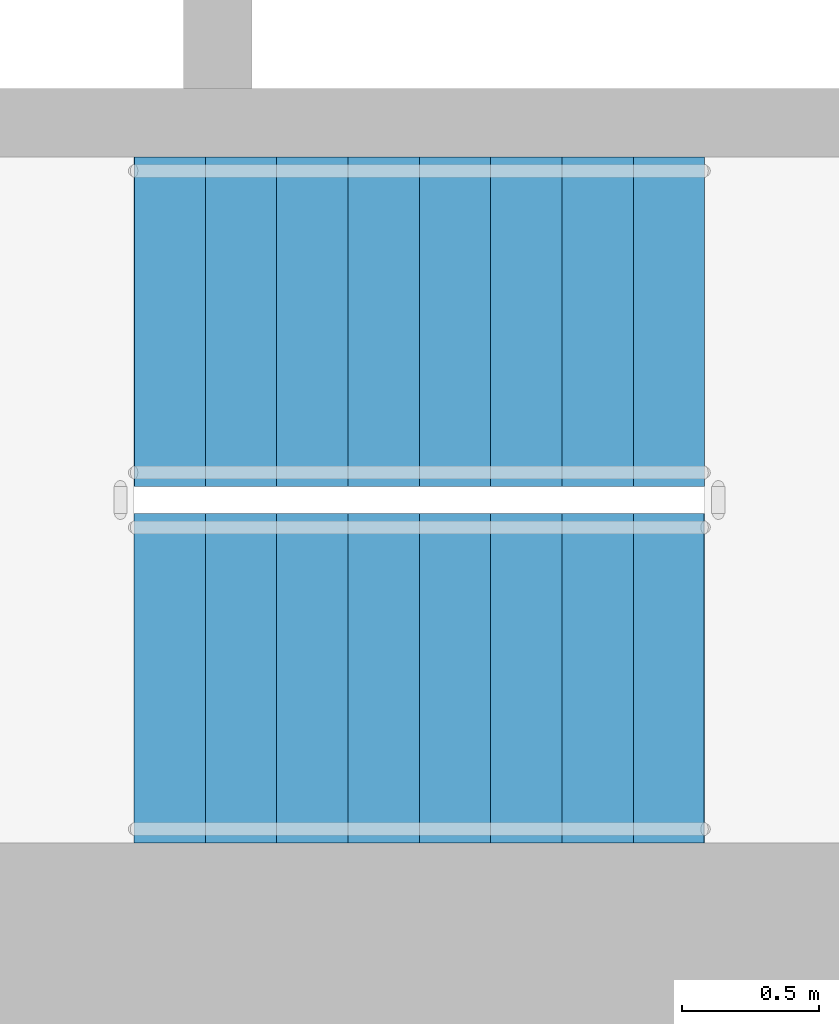
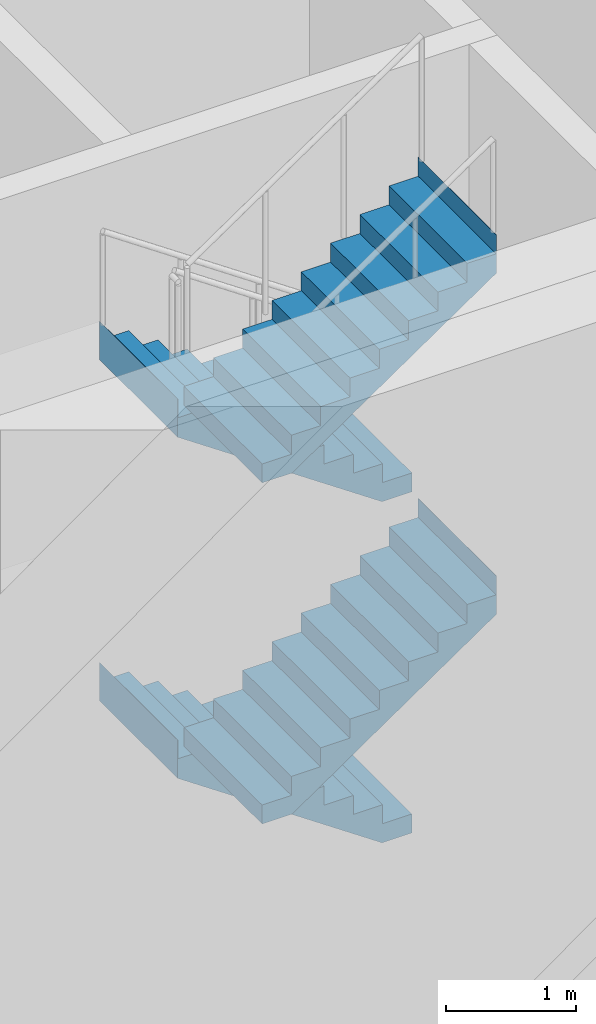
# One storey, part 14 of 27: 4 stair flights, 1 element without a shape of its own.
"""IFC4 building model written with IfcOpenShell, lengths in metres."""

from ifc_helpers import new_model, si_unit, direction, frame, origin, place, context, subcontext, project, spatial, triangles, material, type_object, element, aggregate, save


model = new_model("IFC4")

# Units and contexts
model_context = context("Model", 3, precision=1e-05, world=origin(), true_north=direction((0.0, 1.0)))
body_context = subcontext(model_context, "Body", "Model", "MODEL_VIEW")
ifc_project = project(units=[si_unit("LENGTHUNIT", "METRE"), si_unit("AREAUNIT", "SQUARE_METRE"), si_unit("VOLUMEUNIT", "CUBIC_METRE"), si_unit("PLANEANGLEUNIT", "RADIAN"), si_unit("MASSUNIT", "GRAM", prefix="KILO")], contexts=[model_context])

# Site, building, storey
site_placement = place(None, origin())
site = spatial("IfcSite", under=ifc_project, at=site_placement, CompositionType="ELEMENT")
building_placement = place(site_placement, origin())
building = spatial("IfcBuilding", under=site, at=building_placement, Name="Sahrelin Media Tower", CompositionType="ELEMENT")
storey_placement = place(building_placement, frame((0.0, 0.0, 44.0)))
storey = spatial("IfcBuildingStorey", under=building, at=storey_placement, Name="L06", CompositionType="ELEMENT", Elevation=44.0)

# Stair, stair flights
ifc_material = material(Name="Concrete C40/50", Category="concrete")
stair_type = type_object("IfcStairType", Name="Exit stair 1200", PredefinedType="HALF_TURN_STAIR", material=ifc_material)
stair_placement = place(storey_placement, origin())
stair = element("IfcStair", 1, at=stair_placement, inside=storey, type_object=stair_type, Name="L06 Exit stair ST2", PredefinedType="HALF_TURN_STAIR")
stair_flight_type = type_object("IfcStairFlightType", Name="Stair flight 1200", PredefinedType="STRAIGHT", material=ifc_material)
stair_flight_1_placement = place(storey_placement, frame((7.675048828125, -4.699951171875, 0.0), z_axis=(0.0, 0.0, 1.0), x_axis=(-1.0, 0.0, 0.0)))
stair_flight_1 = element("IfcStairFlight", 2, at=stair_flight_1_placement, type_object=stair_flight_type, Name="ST2 flight 1", NumberOfRisers=9, NumberOfTreads=8, PredefinedType="STRAIGHT", RiserHeight=0.177777778, TreadLength=0.26, context=body_context, shape_type="Tessellation", body=[
    triangles([(0.265625, 0.60009765625, 0.0), (0.265625, 0.300048828125, 0.0), (0.265625, 0.0, 0.0), (0.265625, -0.300048828125, 0.0), (0.265625, -0.60009765625, 0.0), (2.080078125, 0.60009765625, 1.24072265625), (2.080078125, 0.300048828125, 1.24072265625), (2.080078125, 0.0, 1.24072265625), (2.080078125, -0.300048828125, 1.24072265625), (2.080078125, -0.60009765625, 1.24072265625), (2.080078125, 0.60009765625, 1.60009765625), (2.080078125, 0.300048828125, 1.60009765625), (2.080078125, 0.0, 1.60009765625), (2.080078125, -0.300048828125, 1.60009765625), (2.080078125, -0.60009765625, 1.60009765625), (2.077880859375, 0.60009765625, 1.60009765625), (2.077880859375, 0.300048828125, 1.60009765625), (2.077880859375, 0.0, 1.60009765625), (2.077880859375, -0.300048828125, 1.60009765625), (2.077880859375, -0.60009765625, 1.60009765625), (2.077880859375, 0.60009765625, 1.422119140625), (2.077880859375, 0.300048828125, 1.422119140625), (2.077880859375, 0.0, 1.422119140625), (2.077880859375, -0.300048828125, 1.422119140625), (2.077880859375, -0.60009765625, 1.422119140625), (1.820068359375, 0.60009765625, 1.422119140625), (1.820068359375, 0.300048828125, 1.422119140625), (1.820068359375, 0.0, 1.422119140625), (1.820068359375, -0.300048828125, 1.422119140625), (1.820068359375, -0.60009765625, 1.422119140625), (1.820068359375, 0.60009765625, 1.244384765625), (1.820068359375, 0.300048828125, 1.244384765625), (1.820068359375, 0.0, 1.244384765625), (1.820068359375, -0.300048828125, 1.244384765625), (1.820068359375, -0.60009765625, 1.244384765625), (1.56005859375, 0.60009765625, 1.244384765625), (1.56005859375, 0.300048828125, 1.244384765625), (1.56005859375, 0.0, 1.244384765625), (1.56005859375, -0.300048828125, 1.244384765625), (1.56005859375, -0.60009765625, 1.244384765625), (1.56005859375, 0.60009765625, 1.066650390625), (1.56005859375, 0.300048828125, 1.066650390625), (1.56005859375, 0.0, 1.066650390625), (1.56005859375, -0.300048828125, 1.066650390625), (1.56005859375, -0.60009765625, 1.066650390625), (1.300048828125, 0.60009765625, 1.066650390625), (1.300048828125, 0.300048828125, 1.066650390625), (1.300048828125, 0.0, 1.066650390625), (1.300048828125, -0.300048828125, 1.066650390625), (1.300048828125, -0.60009765625, 1.066650390625), (1.300048828125, 0.60009765625, 0.888916015625), (1.300048828125, 0.300048828125, 0.888916015625), (1.300048828125, 0.0, 0.888916015625), (1.300048828125, -0.300048828125, 0.888916015625), (1.300048828125, -0.60009765625, 0.888916015625), (1.0400390625, 0.60009765625, 0.888916015625), (1.0400390625, 0.300048828125, 0.888916015625), (1.0400390625, 0.0, 0.888916015625), (1.0400390625, -0.300048828125, 0.888916015625), (1.0400390625, -0.60009765625, 0.888916015625), (1.0400390625, 0.60009765625, 0.711181640625), (1.0400390625, 0.300048828125, 0.711181640625), (1.0400390625, 0.0, 0.711181640625), (1.0400390625, -0.300048828125, 0.711181640625), (1.0400390625, -0.60009765625, 0.711181640625), (0.780029296875, 0.60009765625, 0.711181640625), (0.780029296875, 0.300048828125, 0.711181640625), (0.780029296875, 0.0, 0.711181640625), (0.780029296875, -0.300048828125, 0.711181640625), (0.780029296875, -0.60009765625, 0.711181640625), (0.780029296875, 0.60009765625, 0.533447265625), (0.780029296875, 0.300048828125, 0.533447265625), (0.780029296875, 0.0, 0.533447265625), (0.780029296875, -0.300048828125, 0.533447265625), (0.780029296875, -0.60009765625, 0.533447265625), (0.52001953125, 0.60009765625, 0.533447265625), (0.52001953125, 0.300048828125, 0.533447265625), (0.52001953125, 0.0, 0.533447265625), (0.52001953125, -0.300048828125, 0.533447265625), (0.52001953125, -0.60009765625, 0.533447265625), (0.52001953125, 0.60009765625, 0.35546875), (0.52001953125, 0.300048828125, 0.35546875), (0.52001953125, 0.0, 0.35546875), (0.52001953125, -0.300048828125, 0.35546875), (0.52001953125, -0.60009765625, 0.35546875), (0.260009765625, 0.60009765625, 0.35546875), (0.260009765625, 0.300048828125, 0.35546875), (0.260009765625, 0.0, 0.35546875), (0.260009765625, -0.300048828125, 0.35546875), (0.260009765625, -0.60009765625, 0.35546875), (0.260009765625, 0.60009765625, 0.177734375), (0.260009765625, 0.300048828125, 0.177734375), (0.260009765625, 0.0, 0.177734375), (0.260009765625, -0.300048828125, 0.177734375), (0.260009765625, -0.60009765625, 0.177734375), (0.0, 0.60009765625, 0.177734375), (0.0, 0.300048828125, 0.177734375), (0.0, 0.0, 0.177734375), (0.0, -0.300048828125, 0.177734375), (0.0, -0.60009765625, 0.177734375), (0.0, 0.60009765625, 0.0), (0.0, 0.300048828125, 0.0), (0.0, 0.0, 0.0), (0.0, -0.300048828125, 0.0), (0.0, -0.60009765625, 0.0)], [[1, 6, 7], [1, 7, 2], [2, 7, 8], [2, 8, 3], [3, 8, 9], [3, 9, 4], [4, 9, 10], [4, 10, 5], [6, 11, 12], [6, 12, 7], [7, 12, 13], [7, 13, 8], [8, 13, 14], [8, 14, 9], [9, 14, 15], [9, 15, 10], [11, 16, 17], [11, 17, 12], [12, 17, 18], [12, 18, 13], [13, 18, 19], [13, 19, 14], [14, 19, 20], [14, 20, 15], [16, 21, 22], [16, 22, 17], [17, 22, 23], [17, 23, 18], [18, 23, 24], [18, 24, 19], [19, 24, 25], [19, 25, 20], [21, 26, 27], [21, 27, 22], [22, 27, 28], [22, 28, 23], [23, 28, 29], [23, 29, 24], [24, 29, 30], [24, 30, 25], [26, 31, 32], [26, 32, 27], [27, 32, 33], [27, 33, 28], [28, 33, 34], [28, 34, 29], [29, 34, 35], [29, 35, 30], [31, 36, 37], [31, 37, 32], [32, 37, 38], [32, 38, 33], [33, 38, 39], [33, 39, 34], [34, 39, 40], [34, 40, 35], [36, 41, 42], [36, 42, 37], [37, 42, 43], [37, 43, 38], [38, 43, 44], [38, 44, 39], [39, 44, 45], [39, 45, 40], [41, 46, 47], [41, 47, 42], [42, 47, 48], [42, 48, 43], [43, 48, 49], [43, 49, 44], [44, 49, 50], [44, 50, 45], [46, 51, 52], [46, 52, 47], [47, 52, 53], [47, 53, 48], [48, 53, 54], [48, 54, 49], [49, 54, 55], [49, 55, 50], [51, 56, 57], [51, 57, 52], [52, 57, 58], [52, 58, 53], [53, 58, 59], [53, 59, 54], [54, 59, 60], [54, 60, 55], [56, 61, 62], [56, 62, 57], [57, 62, 63], [57, 63, 58], [58, 63, 64], [58, 64, 59], [59, 64, 65], [59, 65, 60], [61, 66, 67], [61, 67, 62], [62, 67, 68], [62, 68, 63], [63, 68, 69], [63, 69, 64], [64, 69, 70], [64, 70, 65], [66, 71, 72], [66, 72, 67], [67, 72, 73], [67, 73, 68], [68, 73, 74], [68, 74, 69], [69, 74, 75], [69, 75, 70], [71, 76, 77], [71, 77, 72], [72, 77, 78], [72, 78, 73], [73, 78, 79], [73, 79, 74], [74, 79, 80], [74, 80, 75], [76, 81, 82], [76, 82, 77], [77, 82, 83], [77, 83, 78], [78, 83, 84], [78, 84, 79], [79, 84, 85], [79, 85, 80], [81, 86, 87], [81, 87, 82], [82, 87, 88], [82, 88, 83], [83, 88, 89], [83, 89, 84], [84, 89, 90], [84, 90, 85], [86, 91, 92], [86, 92, 87], [87, 92, 93], [87, 93, 88], [88, 93, 94], [88, 94, 89], [89, 94, 95], [89, 95, 90], [91, 96, 97], [91, 97, 92], [92, 97, 98], [92, 98, 93], [93, 98, 99], [93, 99, 94], [94, 99, 100], [94, 100, 95], [96, 101, 102], [96, 102, 97], [97, 102, 103], [97, 103, 98], [98, 103, 104], [98, 104, 99], [99, 104, 105], [99, 105, 100], [101, 1, 2], [101, 2, 102], [102, 2, 3], [102, 3, 103], [103, 3, 4], [103, 4, 104], [104, 4, 5], [104, 5, 105], [95, 100, 105], [91, 101, 96], [95, 85, 90], [91, 86, 81], [85, 75, 80], [81, 76, 71], [75, 65, 70], [71, 66, 61], [65, 55, 60], [61, 56, 51], [55, 45, 50], [51, 46, 41], [45, 35, 40], [41, 36, 31], [35, 25, 30], [31, 26, 21], [25, 15, 20], [21, 16, 11], [105, 5, 95], [101, 91, 1], [65, 75, 5], [61, 1, 71], [10, 45, 55], [6, 51, 41], [25, 10, 15], [21, 11, 6], [85, 95, 5], [81, 1, 91], [55, 65, 10], [51, 6, 61], [35, 10, 25], [31, 21, 6], [75, 85, 5], [71, 1, 81], [45, 10, 35], [41, 31, 6], [5, 10, 65], [1, 61, 6]], closed=True),
])
stair_flight_2_placement = place(storey_placement, frame((5.594970703125, -6.0, 1.60009765625), z_axis=(0.0, 0.0, 1.0), x_axis=(1.0, 0.0, 0.0)))
stair_flight_2 = element("IfcStairFlight", 3, at=stair_flight_2_placement, type_object=stair_flight_type, Name="ST2 flight 2", NumberOfRisers=9, NumberOfTreads=8, PredefinedType="STRAIGHT", RiserHeight=0.177777778, TreadLength=0.26, context=body_context, shape_type="Tessellation", body=[
    triangles([(0.265625, 0.60009765625, 0.0), (0.265625, 0.300048828125, 0.0), (0.265625, 0.0, 0.0), (0.265625, -0.300048828125, 0.0), (0.265625, -0.60009765625, 0.0), (2.080078125, 0.60009765625, 1.24072265625), (2.080078125, 0.300048828125, 1.24072265625), (2.080078125, 0.0, 1.24072265625), (2.080078125, -0.300048828125, 1.24072265625), (2.080078125, -0.60009765625, 1.24072265625), (2.080078125, 0.60009765625, 1.60009765625), (2.080078125, 0.300048828125, 1.60009765625), (2.080078125, 0.0, 1.60009765625), (2.080078125, -0.300048828125, 1.60009765625), (2.080078125, -0.60009765625, 1.60009765625), (2.077880859375, 0.60009765625, 1.60009765625), (2.077880859375, 0.300048828125, 1.60009765625), (2.077880859375, 0.0, 1.60009765625), (2.077880859375, -0.300048828125, 1.60009765625), (2.077880859375, -0.60009765625, 1.60009765625), (2.077880859375, 0.60009765625, 1.422119140625), (2.077880859375, 0.300048828125, 1.422119140625), (2.077880859375, 0.0, 1.422119140625), (2.077880859375, -0.300048828125, 1.422119140625), (2.077880859375, -0.60009765625, 1.422119140625), (1.820068359375, 0.60009765625, 1.422119140625), (1.820068359375, 0.300048828125, 1.422119140625), (1.820068359375, 0.0, 1.422119140625), (1.820068359375, -0.300048828125, 1.422119140625), (1.820068359375, -0.60009765625, 1.422119140625), (1.820068359375, 0.60009765625, 1.244384765625), (1.820068359375, 0.300048828125, 1.244384765625), (1.820068359375, 0.0, 1.244384765625), (1.820068359375, -0.300048828125, 1.244384765625), (1.820068359375, -0.60009765625, 1.244384765625), (1.56005859375, 0.60009765625, 1.244384765625), (1.56005859375, 0.300048828125, 1.244384765625), (1.56005859375, 0.0, 1.244384765625), (1.56005859375, -0.300048828125, 1.244384765625), (1.56005859375, -0.60009765625, 1.244384765625), (1.56005859375, 0.60009765625, 1.066650390625), (1.56005859375, 0.300048828125, 1.066650390625), (1.56005859375, 0.0, 1.066650390625), (1.56005859375, -0.300048828125, 1.066650390625), (1.56005859375, -0.60009765625, 1.066650390625), (1.300048828125, 0.60009765625, 1.066650390625), (1.300048828125, 0.300048828125, 1.066650390625), (1.300048828125, 0.0, 1.066650390625), (1.300048828125, -0.300048828125, 1.066650390625), (1.300048828125, -0.60009765625, 1.066650390625), (1.300048828125, 0.60009765625, 0.888916015625), (1.300048828125, 0.300048828125, 0.888916015625), (1.300048828125, 0.0, 0.888916015625), (1.300048828125, -0.300048828125, 0.888916015625), (1.300048828125, -0.60009765625, 0.888916015625), (1.0400390625, 0.60009765625, 0.888916015625), (1.0400390625, 0.300048828125, 0.888916015625), (1.0400390625, 0.0, 0.888916015625), (1.0400390625, -0.300048828125, 0.888916015625), (1.0400390625, -0.60009765625, 0.888916015625), (1.0400390625, 0.60009765625, 0.711181640625), (1.0400390625, 0.300048828125, 0.711181640625), (1.0400390625, 0.0, 0.711181640625), (1.0400390625, -0.300048828125, 0.711181640625), (1.0400390625, -0.60009765625, 0.711181640625), (0.780029296875, 0.60009765625, 0.711181640625), (0.780029296875, 0.300048828125, 0.711181640625), (0.780029296875, 0.0, 0.711181640625), (0.780029296875, -0.300048828125, 0.711181640625), (0.780029296875, -0.60009765625, 0.711181640625), (0.780029296875, 0.60009765625, 0.533447265625), (0.780029296875, 0.300048828125, 0.533447265625), (0.780029296875, 0.0, 0.533447265625), (0.780029296875, -0.300048828125, 0.533447265625), (0.780029296875, -0.60009765625, 0.533447265625), (0.52001953125, 0.60009765625, 0.533447265625), (0.52001953125, 0.300048828125, 0.533447265625), (0.52001953125, 0.0, 0.533447265625), (0.52001953125, -0.300048828125, 0.533447265625), (0.52001953125, -0.60009765625, 0.533447265625), (0.52001953125, 0.60009765625, 0.35546875), (0.52001953125, 0.300048828125, 0.35546875), (0.52001953125, 0.0, 0.35546875), (0.52001953125, -0.300048828125, 0.35546875), (0.52001953125, -0.60009765625, 0.35546875), (0.260009765625, 0.60009765625, 0.35546875), (0.260009765625, 0.300048828125, 0.35546875), (0.260009765625, 0.0, 0.35546875), (0.260009765625, -0.300048828125, 0.35546875), (0.260009765625, -0.60009765625, 0.35546875), (0.260009765625, 0.60009765625, 0.177734375), (0.260009765625, 0.300048828125, 0.177734375), (0.260009765625, 0.0, 0.177734375), (0.260009765625, -0.300048828125, 0.177734375), (0.260009765625, -0.60009765625, 0.177734375), (0.0, 0.60009765625, 0.177734375), (0.0, 0.300048828125, 0.177734375), (0.0, 0.0, 0.177734375), (0.0, -0.300048828125, 0.177734375), (0.0, -0.60009765625, 0.177734375), (0.0, 0.60009765625, 0.0), (0.0, 0.300048828125, 0.0), (0.0, 0.0, 0.0), (0.0, -0.300048828125, 0.0), (0.0, -0.60009765625, 0.0)], [[1, 6, 7], [1, 7, 2], [2, 7, 8], [2, 8, 3], [3, 8, 9], [3, 9, 4], [4, 9, 10], [4, 10, 5], [6, 11, 12], [6, 12, 7], [7, 12, 13], [7, 13, 8], [8, 13, 14], [8, 14, 9], [9, 14, 15], [9, 15, 10], [11, 16, 17], [11, 17, 12], [12, 17, 18], [12, 18, 13], [13, 18, 19], [13, 19, 14], [14, 19, 20], [14, 20, 15], [16, 21, 22], [16, 22, 17], [17, 22, 23], [17, 23, 18], [18, 23, 24], [18, 24, 19], [19, 24, 25], [19, 25, 20], [21, 26, 27], [21, 27, 22], [22, 27, 28], [22, 28, 23], [23, 28, 29], [23, 29, 24], [24, 29, 30], [24, 30, 25], [26, 31, 32], [26, 32, 27], [27, 32, 33], [27, 33, 28], [28, 33, 34], [28, 34, 29], [29, 34, 35], [29, 35, 30], [31, 36, 37], [31, 37, 32], [32, 37, 38], [32, 38, 33], [33, 38, 39], [33, 39, 34], [34, 39, 40], [34, 40, 35], [36, 41, 42], [36, 42, 37], [37, 42, 43], [37, 43, 38], [38, 43, 44], [38, 44, 39], [39, 44, 45], [39, 45, 40], [41, 46, 47], [41, 47, 42], [42, 47, 48], [42, 48, 43], [43, 48, 49], [43, 49, 44], [44, 49, 50], [44, 50, 45], [46, 51, 52], [46, 52, 47], [47, 52, 53], [47, 53, 48], [48, 53, 54], [48, 54, 49], [49, 54, 55], [49, 55, 50], [51, 56, 57], [51, 57, 52], [52, 57, 58], [52, 58, 53], [53, 58, 59], [53, 59, 54], [54, 59, 60], [54, 60, 55], [56, 61, 62], [56, 62, 57], [57, 62, 63], [57, 63, 58], [58, 63, 64], [58, 64, 59], [59, 64, 65], [59, 65, 60], [61, 66, 67], [61, 67, 62], [62, 67, 68], [62, 68, 63], [63, 68, 69], [63, 69, 64], [64, 69, 70], [64, 70, 65], [66, 71, 72], [66, 72, 67], [67, 72, 73], [67, 73, 68], [68, 73, 74], [68, 74, 69], [69, 74, 75], [69, 75, 70], [71, 76, 77], [71, 77, 72], [72, 77, 78], [72, 78, 73], [73, 78, 79], [73, 79, 74], [74, 79, 80], [74, 80, 75], [76, 81, 82], [76, 82, 77], [77, 82, 83], [77, 83, 78], [78, 83, 84], [78, 84, 79], [79, 84, 85], [79, 85, 80], [81, 86, 87], [81, 87, 82], [82, 87, 88], [82, 88, 83], [83, 88, 89], [83, 89, 84], [84, 89, 90], [84, 90, 85], [86, 91, 92], [86, 92, 87], [87, 92, 93], [87, 93, 88], [88, 93, 94], [88, 94, 89], [89, 94, 95], [89, 95, 90], [91, 96, 97], [91, 97, 92], [92, 97, 98], [92, 98, 93], [93, 98, 99], [93, 99, 94], [94, 99, 100], [94, 100, 95], [96, 101, 102], [96, 102, 97], [97, 102, 103], [97, 103, 98], [98, 103, 104], [98, 104, 99], [99, 104, 105], [99, 105, 100], [101, 1, 2], [101, 2, 102], [102, 2, 3], [102, 3, 103], [103, 3, 4], [103, 4, 104], [104, 4, 5], [104, 5, 105], [95, 100, 105], [91, 101, 96], [95, 85, 90], [91, 86, 81], [85, 75, 80], [81, 76, 71], [75, 65, 70], [71, 66, 61], [65, 55, 60], [61, 56, 51], [55, 45, 50], [51, 46, 41], [45, 35, 40], [41, 36, 31], [35, 25, 30], [31, 26, 21], [25, 15, 20], [21, 16, 11], [105, 5, 95], [101, 91, 1], [65, 75, 5], [61, 1, 71], [10, 45, 55], [6, 51, 41], [25, 10, 15], [21, 11, 6], [85, 95, 5], [81, 1, 91], [55, 65, 10], [51, 6, 61], [35, 10, 25], [31, 21, 6], [75, 85, 5], [71, 1, 81], [45, 10, 35], [41, 31, 6], [5, 10, 65], [1, 61, 6]], closed=True),
])
stair_flight_3_placement = place(storey_placement, frame((7.675048828125, -4.699951171875, 3.199951171875), z_axis=(0.0, 0.0, 1.0), x_axis=(-1.0, 0.0, 0.0)))
stair_flight_3 = element("IfcStairFlight", 4, at=stair_flight_3_placement, type_object=stair_flight_type, Name="ST2 flight 3", NumberOfRisers=9, NumberOfTreads=8, PredefinedType="STRAIGHT", RiserHeight=0.177777778, TreadLength=0.26, context=body_context, shape_type="Tessellation", body=[
    triangles([(0.265625, 0.60009765625, 0.0), (0.265625, 0.300048828125, 0.0), (0.265625, 0.0, 0.0), (0.265625, -0.300048828125, 0.0), (0.265625, -0.60009765625, 0.0), (2.080078125, 0.60009765625, 1.24072265625), (2.080078125, 0.300048828125, 1.24072265625), (2.080078125, 0.0, 1.24072265625), (2.080078125, -0.300048828125, 1.24072265625), (2.080078125, -0.60009765625, 1.24072265625), (2.080078125, 0.60009765625, 1.60009765625), (2.080078125, 0.300048828125, 1.60009765625), (2.080078125, 0.0, 1.60009765625), (2.080078125, -0.300048828125, 1.60009765625), (2.080078125, -0.60009765625, 1.60009765625), (2.077880859375, 0.60009765625, 1.60009765625), (2.077880859375, 0.300048828125, 1.60009765625), (2.077880859375, 0.0, 1.60009765625), (2.077880859375, -0.300048828125, 1.60009765625), (2.077880859375, -0.60009765625, 1.60009765625), (2.077880859375, 0.60009765625, 1.422119140625), (2.077880859375, 0.300048828125, 1.422119140625), (2.077880859375, 0.0, 1.422119140625), (2.077880859375, -0.300048828125, 1.422119140625), (2.077880859375, -0.60009765625, 1.422119140625), (1.820068359375, 0.60009765625, 1.422119140625), (1.820068359375, 0.300048828125, 1.422119140625), (1.820068359375, 0.0, 1.422119140625), (1.820068359375, -0.300048828125, 1.422119140625), (1.820068359375, -0.60009765625, 1.422119140625), (1.820068359375, 0.60009765625, 1.244384765625), (1.820068359375, 0.300048828125, 1.244384765625), (1.820068359375, 0.0, 1.244384765625), (1.820068359375, -0.300048828125, 1.244384765625), (1.820068359375, -0.60009765625, 1.244384765625), (1.56005859375, 0.60009765625, 1.244384765625), (1.56005859375, 0.300048828125, 1.244384765625), (1.56005859375, 0.0, 1.244384765625), (1.56005859375, -0.300048828125, 1.244384765625), (1.56005859375, -0.60009765625, 1.244384765625), (1.56005859375, 0.60009765625, 1.066650390625), (1.56005859375, 0.300048828125, 1.066650390625), (1.56005859375, 0.0, 1.066650390625), (1.56005859375, -0.300048828125, 1.066650390625), (1.56005859375, -0.60009765625, 1.066650390625), (1.300048828125, 0.60009765625, 1.066650390625), (1.300048828125, 0.300048828125, 1.066650390625), (1.300048828125, 0.0, 1.066650390625), (1.300048828125, -0.300048828125, 1.066650390625), (1.300048828125, -0.60009765625, 1.066650390625), (1.300048828125, 0.60009765625, 0.888916015625), (1.300048828125, 0.300048828125, 0.888916015625), (1.300048828125, 0.0, 0.888916015625), (1.300048828125, -0.300048828125, 0.888916015625), (1.300048828125, -0.60009765625, 0.888916015625), (1.0400390625, 0.60009765625, 0.888916015625), (1.0400390625, 0.300048828125, 0.888916015625), (1.0400390625, 0.0, 0.888916015625), (1.0400390625, -0.300048828125, 0.888916015625), (1.0400390625, -0.60009765625, 0.888916015625), (1.0400390625, 0.60009765625, 0.711181640625), (1.0400390625, 0.300048828125, 0.711181640625), (1.0400390625, 0.0, 0.711181640625), (1.0400390625, -0.300048828125, 0.711181640625), (1.0400390625, -0.60009765625, 0.711181640625), (0.780029296875, 0.60009765625, 0.711181640625), (0.780029296875, 0.300048828125, 0.711181640625), (0.780029296875, 0.0, 0.711181640625), (0.780029296875, -0.300048828125, 0.711181640625), (0.780029296875, -0.60009765625, 0.711181640625), (0.780029296875, 0.60009765625, 0.533447265625), (0.780029296875, 0.300048828125, 0.533447265625), (0.780029296875, 0.0, 0.533447265625), (0.780029296875, -0.300048828125, 0.533447265625), (0.780029296875, -0.60009765625, 0.533447265625), (0.52001953125, 0.60009765625, 0.533447265625), (0.52001953125, 0.300048828125, 0.533447265625), (0.52001953125, 0.0, 0.533447265625), (0.52001953125, -0.300048828125, 0.533447265625), (0.52001953125, -0.60009765625, 0.533447265625), (0.52001953125, 0.60009765625, 0.35546875), (0.52001953125, 0.300048828125, 0.35546875), (0.52001953125, 0.0, 0.35546875), (0.52001953125, -0.300048828125, 0.35546875), (0.52001953125, -0.60009765625, 0.35546875), (0.260009765625, 0.60009765625, 0.35546875), (0.260009765625, 0.300048828125, 0.35546875), (0.260009765625, 0.0, 0.35546875), (0.260009765625, -0.300048828125, 0.35546875), (0.260009765625, -0.60009765625, 0.35546875), (0.260009765625, 0.60009765625, 0.177734375), (0.260009765625, 0.300048828125, 0.177734375), (0.260009765625, 0.0, 0.177734375), (0.260009765625, -0.300048828125, 0.177734375), (0.260009765625, -0.60009765625, 0.177734375), (0.0, 0.60009765625, 0.177734375), (0.0, 0.300048828125, 0.177734375), (0.0, 0.0, 0.177734375), (0.0, -0.300048828125, 0.177734375), (0.0, -0.60009765625, 0.177734375), (0.0, 0.60009765625, 0.0), (0.0, 0.300048828125, 0.0), (0.0, 0.0, 0.0), (0.0, -0.300048828125, 0.0), (0.0, -0.60009765625, 0.0)], [[1, 6, 7], [1, 7, 2], [2, 7, 8], [2, 8, 3], [3, 8, 9], [3, 9, 4], [4, 9, 10], [4, 10, 5], [6, 11, 12], [6, 12, 7], [7, 12, 13], [7, 13, 8], [8, 13, 14], [8, 14, 9], [9, 14, 15], [9, 15, 10], [11, 16, 17], [11, 17, 12], [12, 17, 18], [12, 18, 13], [13, 18, 19], [13, 19, 14], [14, 19, 20], [14, 20, 15], [16, 21, 22], [16, 22, 17], [17, 22, 23], [17, 23, 18], [18, 23, 24], [18, 24, 19], [19, 24, 25], [19, 25, 20], [21, 26, 27], [21, 27, 22], [22, 27, 28], [22, 28, 23], [23, 28, 29], [23, 29, 24], [24, 29, 30], [24, 30, 25], [26, 31, 32], [26, 32, 27], [27, 32, 33], [27, 33, 28], [28, 33, 34], [28, 34, 29], [29, 34, 35], [29, 35, 30], [31, 36, 37], [31, 37, 32], [32, 37, 38], [32, 38, 33], [33, 38, 39], [33, 39, 34], [34, 39, 40], [34, 40, 35], [36, 41, 42], [36, 42, 37], [37, 42, 43], [37, 43, 38], [38, 43, 44], [38, 44, 39], [39, 44, 45], [39, 45, 40], [41, 46, 47], [41, 47, 42], [42, 47, 48], [42, 48, 43], [43, 48, 49], [43, 49, 44], [44, 49, 50], [44, 50, 45], [46, 51, 52], [46, 52, 47], [47, 52, 53], [47, 53, 48], [48, 53, 54], [48, 54, 49], [49, 54, 55], [49, 55, 50], [51, 56, 57], [51, 57, 52], [52, 57, 58], [52, 58, 53], [53, 58, 59], [53, 59, 54], [54, 59, 60], [54, 60, 55], [56, 61, 62], [56, 62, 57], [57, 62, 63], [57, 63, 58], [58, 63, 64], [58, 64, 59], [59, 64, 65], [59, 65, 60], [61, 66, 67], [61, 67, 62], [62, 67, 68], [62, 68, 63], [63, 68, 69], [63, 69, 64], [64, 69, 70], [64, 70, 65], [66, 71, 72], [66, 72, 67], [67, 72, 73], [67, 73, 68], [68, 73, 74], [68, 74, 69], [69, 74, 75], [69, 75, 70], [71, 76, 77], [71, 77, 72], [72, 77, 78], [72, 78, 73], [73, 78, 79], [73, 79, 74], [74, 79, 80], [74, 80, 75], [76, 81, 82], [76, 82, 77], [77, 82, 83], [77, 83, 78], [78, 83, 84], [78, 84, 79], [79, 84, 85], [79, 85, 80], [81, 86, 87], [81, 87, 82], [82, 87, 88], [82, 88, 83], [83, 88, 89], [83, 89, 84], [84, 89, 90], [84, 90, 85], [86, 91, 92], [86, 92, 87], [87, 92, 93], [87, 93, 88], [88, 93, 94], [88, 94, 89], [89, 94, 95], [89, 95, 90], [91, 96, 97], [91, 97, 92], [92, 97, 98], [92, 98, 93], [93, 98, 99], [93, 99, 94], [94, 99, 100], [94, 100, 95], [96, 101, 102], [96, 102, 97], [97, 102, 103], [97, 103, 98], [98, 103, 104], [98, 104, 99], [99, 104, 105], [99, 105, 100], [101, 1, 2], [101, 2, 102], [102, 2, 3], [102, 3, 103], [103, 3, 4], [103, 4, 104], [104, 4, 5], [104, 5, 105], [95, 100, 105], [91, 101, 96], [95, 85, 90], [91, 86, 81], [85, 75, 80], [81, 76, 71], [75, 65, 70], [71, 66, 61], [65, 55, 60], [61, 56, 51], [55, 45, 50], [51, 46, 41], [45, 35, 40], [41, 36, 31], [35, 25, 30], [31, 26, 21], [25, 15, 20], [21, 16, 11], [105, 5, 95], [101, 91, 1], [65, 75, 5], [61, 1, 71], [10, 45, 55], [6, 51, 41], [25, 10, 15], [21, 11, 6], [85, 95, 5], [81, 1, 91], [55, 65, 10], [51, 6, 61], [35, 10, 25], [31, 21, 6], [75, 85, 5], [71, 1, 81], [45, 10, 35], [41, 31, 6], [5, 10, 65], [1, 61, 6]], closed=True),
])
stair_flight_4_placement = place(storey_placement, frame((5.594970703125, -6.0, 4.800048828125), z_axis=(0.0, 0.0, 1.0), x_axis=(1.0, 0.0, 0.0)))
stair_flight_4 = element("IfcStairFlight", 5, at=stair_flight_4_placement, type_object=stair_flight_type, Name="ST2 flight 4", NumberOfRisers=9, NumberOfTreads=8, PredefinedType="STRAIGHT", RiserHeight=0.177777778, TreadLength=0.26, context=body_context, shape_type="Tessellation", body=[
    triangles([(0.265625, 0.60009765625, 0.0), (0.265625, 0.300048828125, 0.0), (0.265625, 0.0, 0.0), (0.265625, -0.300048828125, 0.0), (0.265625, -0.60009765625, 0.0), (2.080078125, 0.60009765625, 1.24072265625), (2.080078125, 0.300048828125, 1.24072265625), (2.080078125, 0.0, 1.24072265625), (2.080078125, -0.300048828125, 1.24072265625), (2.080078125, -0.60009765625, 1.24072265625), (2.080078125, 0.60009765625, 1.60009765625), (2.080078125, 0.300048828125, 1.60009765625), (2.080078125, 0.0, 1.60009765625), (2.080078125, -0.300048828125, 1.60009765625), (2.080078125, -0.60009765625, 1.60009765625), (2.077880859375, 0.60009765625, 1.60009765625), (2.077880859375, 0.300048828125, 1.60009765625), (2.077880859375, 0.0, 1.60009765625), (2.077880859375, -0.300048828125, 1.60009765625), (2.077880859375, -0.60009765625, 1.60009765625), (2.077880859375, 0.60009765625, 1.422119140625), (2.077880859375, 0.300048828125, 1.422119140625), (2.077880859375, 0.0, 1.422119140625), (2.077880859375, -0.300048828125, 1.422119140625), (2.077880859375, -0.60009765625, 1.422119140625), (1.820068359375, 0.60009765625, 1.422119140625), (1.820068359375, 0.300048828125, 1.422119140625), (1.820068359375, 0.0, 1.422119140625), (1.820068359375, -0.300048828125, 1.422119140625), (1.820068359375, -0.60009765625, 1.422119140625), (1.820068359375, 0.60009765625, 1.244384765625), (1.820068359375, 0.300048828125, 1.244384765625), (1.820068359375, 0.0, 1.244384765625), (1.820068359375, -0.300048828125, 1.244384765625), (1.820068359375, -0.60009765625, 1.244384765625), (1.56005859375, 0.60009765625, 1.244384765625), (1.56005859375, 0.300048828125, 1.244384765625), (1.56005859375, 0.0, 1.244384765625), (1.56005859375, -0.300048828125, 1.244384765625), (1.56005859375, -0.60009765625, 1.244384765625), (1.56005859375, 0.60009765625, 1.066650390625), (1.56005859375, 0.300048828125, 1.066650390625), (1.56005859375, 0.0, 1.066650390625), (1.56005859375, -0.300048828125, 1.066650390625), (1.56005859375, -0.60009765625, 1.066650390625), (1.300048828125, 0.60009765625, 1.066650390625), (1.300048828125, 0.300048828125, 1.066650390625), (1.300048828125, 0.0, 1.066650390625), (1.300048828125, -0.300048828125, 1.066650390625), (1.300048828125, -0.60009765625, 1.066650390625), (1.300048828125, 0.60009765625, 0.888916015625), (1.300048828125, 0.300048828125, 0.888916015625), (1.300048828125, 0.0, 0.888916015625), (1.300048828125, -0.300048828125, 0.888916015625), (1.300048828125, -0.60009765625, 0.888916015625), (1.0400390625, 0.60009765625, 0.888916015625), (1.0400390625, 0.300048828125, 0.888916015625), (1.0400390625, 0.0, 0.888916015625), (1.0400390625, -0.300048828125, 0.888916015625), (1.0400390625, -0.60009765625, 0.888916015625), (1.0400390625, 0.60009765625, 0.711181640625), (1.0400390625, 0.300048828125, 0.711181640625), (1.0400390625, 0.0, 0.711181640625), (1.0400390625, -0.300048828125, 0.711181640625), (1.0400390625, -0.60009765625, 0.711181640625), (0.780029296875, 0.60009765625, 0.711181640625), (0.780029296875, 0.300048828125, 0.711181640625), (0.780029296875, 0.0, 0.711181640625), (0.780029296875, -0.300048828125, 0.711181640625), (0.780029296875, -0.60009765625, 0.711181640625), (0.780029296875, 0.60009765625, 0.533447265625), (0.780029296875, 0.300048828125, 0.533447265625), (0.780029296875, 0.0, 0.533447265625), (0.780029296875, -0.300048828125, 0.533447265625), (0.780029296875, -0.60009765625, 0.533447265625), (0.52001953125, 0.60009765625, 0.533447265625), (0.52001953125, 0.300048828125, 0.533447265625), (0.52001953125, 0.0, 0.533447265625), (0.52001953125, -0.300048828125, 0.533447265625), (0.52001953125, -0.60009765625, 0.533447265625), (0.52001953125, 0.60009765625, 0.35546875), (0.52001953125, 0.300048828125, 0.35546875), (0.52001953125, 0.0, 0.35546875), (0.52001953125, -0.300048828125, 0.35546875), (0.52001953125, -0.60009765625, 0.35546875), (0.260009765625, 0.60009765625, 0.35546875), (0.260009765625, 0.300048828125, 0.35546875), (0.260009765625, 0.0, 0.35546875), (0.260009765625, -0.300048828125, 0.35546875), (0.260009765625, -0.60009765625, 0.35546875), (0.260009765625, 0.60009765625, 0.177734375), (0.260009765625, 0.300048828125, 0.177734375), (0.260009765625, 0.0, 0.177734375), (0.260009765625, -0.300048828125, 0.177734375), (0.260009765625, -0.60009765625, 0.177734375), (0.0, 0.60009765625, 0.177734375), (0.0, 0.300048828125, 0.177734375), (0.0, 0.0, 0.177734375), (0.0, -0.300048828125, 0.177734375), (0.0, -0.60009765625, 0.177734375), (0.0, 0.60009765625, 0.0), (0.0, 0.300048828125, 0.0), (0.0, 0.0, 0.0), (0.0, -0.300048828125, 0.0), (0.0, -0.60009765625, 0.0)], [[1, 6, 7], [1, 7, 2], [2, 7, 8], [2, 8, 3], [3, 8, 9], [3, 9, 4], [4, 9, 10], [4, 10, 5], [6, 11, 12], [6, 12, 7], [7, 12, 13], [7, 13, 8], [8, 13, 14], [8, 14, 9], [9, 14, 15], [9, 15, 10], [11, 16, 17], [11, 17, 12], [12, 17, 18], [12, 18, 13], [13, 18, 19], [13, 19, 14], [14, 19, 20], [14, 20, 15], [16, 21, 22], [16, 22, 17], [17, 22, 23], [17, 23, 18], [18, 23, 24], [18, 24, 19], [19, 24, 25], [19, 25, 20], [21, 26, 27], [21, 27, 22], [22, 27, 28], [22, 28, 23], [23, 28, 29], [23, 29, 24], [24, 29, 30], [24, 30, 25], [26, 31, 32], [26, 32, 27], [27, 32, 33], [27, 33, 28], [28, 33, 34], [28, 34, 29], [29, 34, 35], [29, 35, 30], [31, 36, 37], [31, 37, 32], [32, 37, 38], [32, 38, 33], [33, 38, 39], [33, 39, 34], [34, 39, 40], [34, 40, 35], [36, 41, 42], [36, 42, 37], [37, 42, 43], [37, 43, 38], [38, 43, 44], [38, 44, 39], [39, 44, 45], [39, 45, 40], [41, 46, 47], [41, 47, 42], [42, 47, 48], [42, 48, 43], [43, 48, 49], [43, 49, 44], [44, 49, 50], [44, 50, 45], [46, 51, 52], [46, 52, 47], [47, 52, 53], [47, 53, 48], [48, 53, 54], [48, 54, 49], [49, 54, 55], [49, 55, 50], [51, 56, 57], [51, 57, 52], [52, 57, 58], [52, 58, 53], [53, 58, 59], [53, 59, 54], [54, 59, 60], [54, 60, 55], [56, 61, 62], [56, 62, 57], [57, 62, 63], [57, 63, 58], [58, 63, 64], [58, 64, 59], [59, 64, 65], [59, 65, 60], [61, 66, 67], [61, 67, 62], [62, 67, 68], [62, 68, 63], [63, 68, 69], [63, 69, 64], [64, 69, 70], [64, 70, 65], [66, 71, 72], [66, 72, 67], [67, 72, 73], [67, 73, 68], [68, 73, 74], [68, 74, 69], [69, 74, 75], [69, 75, 70], [71, 76, 77], [71, 77, 72], [72, 77, 78], [72, 78, 73], [73, 78, 79], [73, 79, 74], [74, 79, 80], [74, 80, 75], [76, 81, 82], [76, 82, 77], [77, 82, 83], [77, 83, 78], [78, 83, 84], [78, 84, 79], [79, 84, 85], [79, 85, 80], [81, 86, 87], [81, 87, 82], [82, 87, 88], [82, 88, 83], [83, 88, 89], [83, 89, 84], [84, 89, 90], [84, 90, 85], [86, 91, 92], [86, 92, 87], [87, 92, 93], [87, 93, 88], [88, 93, 94], [88, 94, 89], [89, 94, 95], [89, 95, 90], [91, 96, 97], [91, 97, 92], [92, 97, 98], [92, 98, 93], [93, 98, 99], [93, 99, 94], [94, 99, 100], [94, 100, 95], [96, 101, 102], [96, 102, 97], [97, 102, 103], [97, 103, 98], [98, 103, 104], [98, 104, 99], [99, 104, 105], [99, 105, 100], [101, 1, 2], [101, 2, 102], [102, 2, 3], [102, 3, 103], [103, 3, 4], [103, 4, 104], [104, 4, 5], [104, 5, 105], [95, 100, 105], [91, 101, 96], [95, 85, 90], [91, 86, 81], [85, 75, 80], [81, 76, 71], [75, 65, 70], [71, 66, 61], [65, 55, 60], [61, 56, 51], [55, 45, 50], [51, 46, 41], [45, 35, 40], [41, 36, 31], [35, 25, 30], [31, 26, 21], [25, 15, 20], [21, 16, 11], [105, 5, 95], [101, 91, 1], [65, 75, 5], [61, 1, 71], [10, 45, 55], [6, 51, 41], [25, 10, 15], [21, 11, 6], [85, 95, 5], [81, 1, 91], [55, 65, 10], [51, 6, 61], [35, 10, 25], [31, 21, 6], [75, 85, 5], [71, 1, 81], [45, 10, 35], [41, 31, 6], [5, 10, 65], [1, 61, 6]], closed=True),
])
aggregate(stair, [stair_flight_1, stair_flight_2, stair_flight_3, stair_flight_4])

save(model, "model.ifc")
